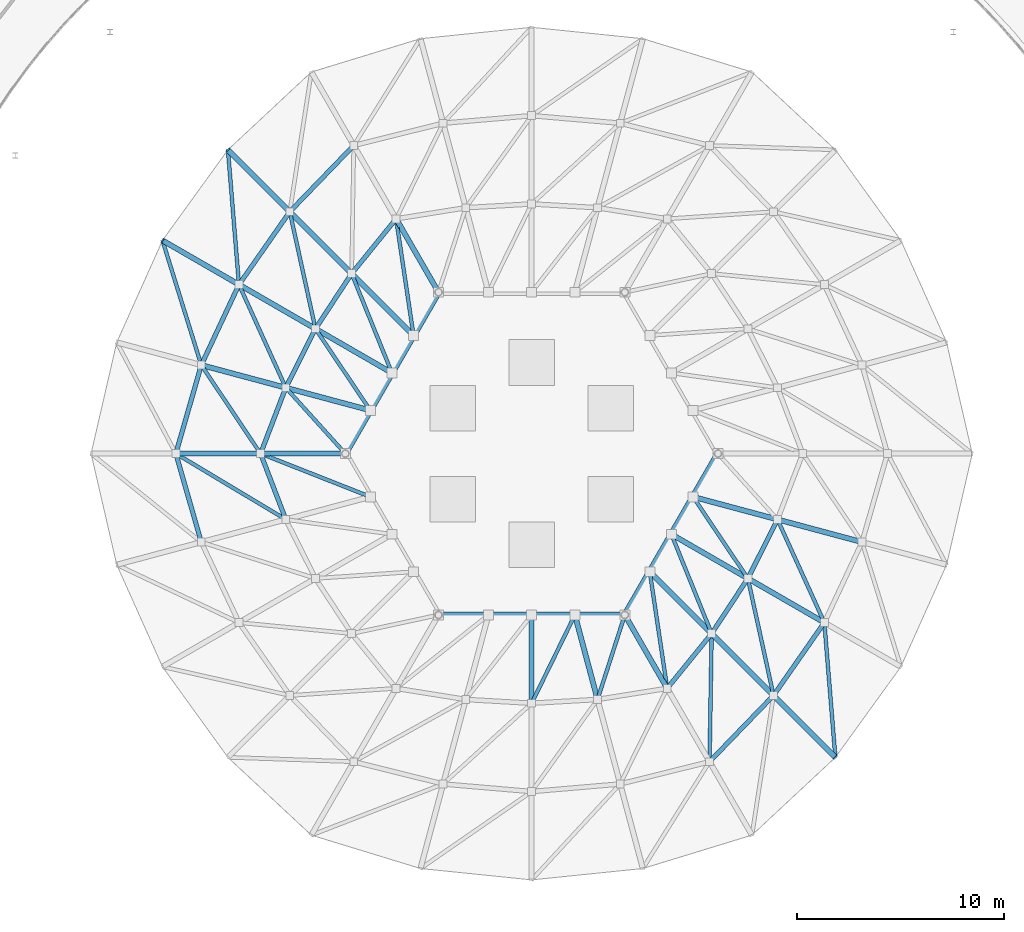
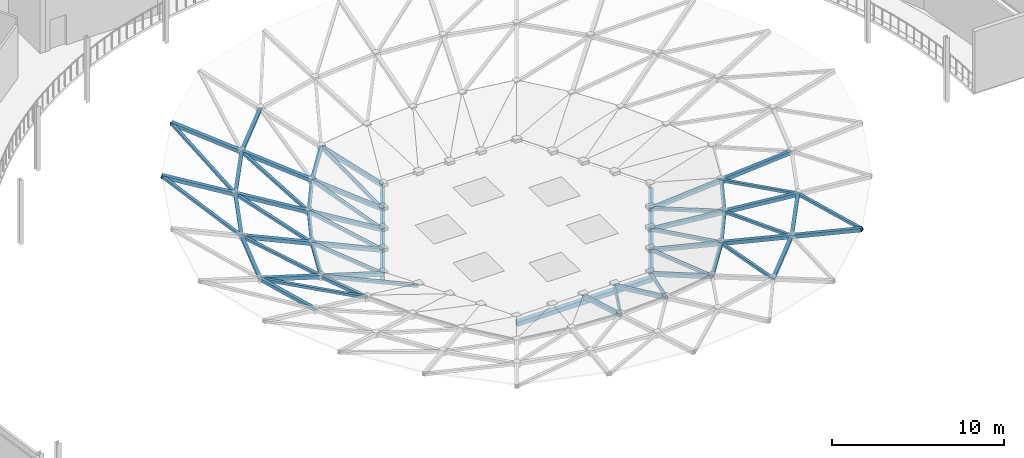
# One storey, part 23 of 116: 56 members, 3 beams.
"""IFC4 building model written with IfcOpenShell, lengths in metres."""

import ifcopenshell
import ifcopenshell.guid

model = None  # the IFC model being written
_history = None  # IfcOwnerHistory: only IFC2X3 demands one
_inside = {}  # id of a spatial element -> (the spatial element, [elements in it])
_under = {}  # id of a project, library or spatial element -> (it, [spatial elements below it])
_declared = {}  # id of a project -> (the project, [libraries it declares])
_typed = {}  # id of a type object -> (the type object, [elements of that type])
_made_of = {}  # id of a material, layer set ... -> (it, [elements and type objects made of it])


def new_model(schema):
    """Start an empty IFC model of exactly this schema.

    Asked for "IFC4X3", IfcOpenShell would pick the latest addendum, in which some entities
    have other attributes; the version numbers below select the first issue.
    IFC2X3 requires an IfcOwnerHistory on every rooted entity: one is made here for all.
    """
    global model, _history
    if schema == "IFC4X3":
        model = ifcopenshell.file(schema_version=(4, 3, 0, 0))
    else:
        model = ifcopenshell.file(schema=schema)
    _inside.clear()
    _under.clear()
    _declared.clear()
    _typed.clear()
    _made_of.clear()
    _history = None
    if model.schema == "IFC2X3":
        org = make("IfcOrganization", Name="unknown")
        user = make(
            "IfcPersonAndOrganization",
            ThePerson=make("IfcPerson", FamilyName="unknown"),
            TheOrganization=org,
        )
        app = make(
            "IfcApplication",
            ApplicationDeveloper=org,
            Version="unknown",
            ApplicationFullName="unknown",
            ApplicationIdentifier="unknown",
        )
        _history = make(
            "IfcOwnerHistory",
            OwningUser=user,
            OwningApplication=app,
            ChangeAction="ADDED",
            CreationDate=0,
        )
    return model


def make(cls, **values):
    """One entity of the class cls with the attributes given. An attribute that is None is left unset."""
    return model.create_entity(
        cls, **{name: value for name, value in values.items() if value is not None}
    )


def rooted(cls, **values):
    """An entity with a GlobalId (a new one), such as an element, a storey or a relation."""
    return make(cls, GlobalId=ifcopenshell.guid.new(), OwnerHistory=_history, **values)


def si_unit(unit_type, name, prefix=None):
    """IfcSIUnit, for example si_unit("LENGTHUNIT", "METRE", prefix="MILLI")."""
    return make("IfcSIUnit", UnitType=unit_type, Prefix=prefix, Name=name)


def assignment(units):
    """IfcUnitAssignment: the units of a project."""
    return None if units is None else make("IfcUnitAssignment", Units=units)


def point(xyz):
    """IfcCartesianPoint."""
    return None if xyz is None else make("IfcCartesianPoint", Coordinates=xyz)


def direction(xyz):
    """IfcDirection."""
    return None if xyz is None else make("IfcDirection", DirectionRatios=xyz)


def frame(location, z_axis=None, x_axis=None):
    """IfcAxis2Placement3D, a coordinate frame: its origin and axes. An axis left out is left unset."""
    return make(
        "IfcAxis2Placement3D",
        Location=point(location),
        Axis=direction(z_axis),
        RefDirection=direction(x_axis),
    )


def frame_2d(location, x_axis=None):
    """IfcAxis2Placement2D, a coordinate frame in the plane: its origin and x axis."""
    return make(
        "IfcAxis2Placement2D", Location=point(location), RefDirection=direction(x_axis)
    )


def origin():
    """The frame at (0, 0, 0) with its axes left unset."""
    return frame((0.0, 0.0, 0.0))


def origin_2d():
    """The frame at (0, 0) in the plane with its x axis left unset."""
    return frame_2d((0.0, 0.0))


def place(relative_to, where):
    """IfcLocalPlacement: puts the frame where relative to a parent placement (None: the world)."""
    return make(
        "IfcLocalPlacement", PlacementRelTo=relative_to, RelativePlacement=where
    )


def context(
    kind, dimensions, precision=None, world=None, true_north=None, identifier=None
):
    """IfcGeometricRepresentationContext, for example the 3D "Model" context."""
    return make(
        "IfcGeometricRepresentationContext",
        ContextIdentifier=identifier,
        ContextType=kind,
        CoordinateSpaceDimension=dimensions,
        Precision=precision,
        WorldCoordinateSystem=world,
        TrueNorth=true_north,
    )


def subcontext(parent, identifier, kind, view, scale=None):
    """IfcGeometricRepresentationSubContext, for example "Body" below "Model"."""
    return make(
        "IfcGeometricRepresentationSubContext",
        ContextIdentifier=identifier,
        ContextType=kind,
        ParentContext=parent,
        TargetScale=scale,
        TargetView=view,
    )


def project(units=None, contexts=None):
    """IfcProject with its units and contexts."""
    return rooted(
        "IfcProject",
        Name="project",
        RepresentationContexts=contexts,
        UnitsInContext=assignment(units),
    )


def spatial(cls, under=None, at=None, **own):
    """A site, building, storey or space (cls), placed at a placement, below another one or the project."""
    s = rooted(cls, ObjectPlacement=at, **own)
    if under is not None:
        _under.setdefault(under.id(), (under, []))[1].append(s)
    return s


def profile(cls, at=None, kind="AREA", **sizes):
    """A parametric profile (cls). Its sizes go by their IFC names, for example OverallWidth=200.0."""
    return make(cls, ProfileType=kind, Position=at, **sizes)


def hollow_rectangle(**sizes):
    """IfcRectangleHollowProfileDef."""
    return profile("IfcRectangleHollowProfileDef", **sizes)


def extrude(swept, where, along, depth):
    """IfcExtrudedAreaSolid: the profile swept, set in the frame where, extruded along a direction by depth."""
    return make(
        "IfcExtrudedAreaSolid",
        SweptArea=swept,
        Position=where,
        ExtrudedDirection=direction(along),
        Depth=depth,
    )


def shape(context_of_items, identifier, shape_type, items):
    """IfcShapeRepresentation: the items that make up one representation, for example the "Body"."""
    return make(
        "IfcShapeRepresentation",
        ContextOfItems=context_of_items,
        RepresentationIdentifier=identifier,
        RepresentationType=shape_type,
        Items=items,
    )


def material(Name=None, Category=None):
    """IfcMaterial."""
    return make("IfcMaterial", Name=Name, Category=Category)


def material_profile(
    of_material, cross_section, Name=None, Category=None, Priority=None
):
    """IfcMaterialProfile: a cross section and its material."""
    return make(
        "IfcMaterialProfile",
        Name=Name,
        Material=of_material,
        Profile=cross_section,
        Priority=Priority,
        Category=Category,
    )


def profile_set(profiles, Name=None, composite=None):
    """IfcMaterialProfileSet."""
    return make(
        "IfcMaterialProfileSet",
        Name=Name,
        MaterialProfiles=profiles,
        CompositeProfile=composite,
    )


def made_of(thing, what):
    """Note that an element or type object is made of a material, layer set ...; save() writes the relation."""
    if what is not None:
        _made_of.setdefault(what.id(), (what, []))[1].append(thing)
    return thing


def type_object(cls, material=None, **own):
    """A type object (cls), such as IfcWallType, which elements share."""
    return made_of(rooted(cls, **own), material)


def element(
    cls,
    number,
    at=None,
    inside=None,
    cuts=None,
    type_object=None,
    material=None,
    context=None,
    identifier="Body",
    shape_type=None,
    held_by="IfcProductDefinitionShape",
    body=None,
    shapes=None,
    **own,
):
    """One element of the class cls, such as IfcWall. Its Tag is "e" and its number.

    at: its placement. inside: the storey or other place that contains it. cuts: it is an
    opening in that element (IfcRelVoidsElement). A single representation is given by context,
    identifier, shape_type and body (its items); several are given by shapes. held_by: the class
    of the entity that holds the representations. save() writes the other relations.
    """
    e = rooted(cls, Tag="e%d" % number, ObjectPlacement=at, **own)
    if body is not None:
        shapes = [shape(context, identifier, shape_type, body)]
    if shapes is not None:
        e.Representation = make(held_by, Representations=shapes)
    if inside is not None:
        _inside.setdefault(inside.id(), (inside, []))[1].append(e)
    if cuts is not None:
        rooted(
            "IfcRelVoidsElement", RelatingBuildingElement=cuts, RelatedOpeningElement=e
        )
    if type_object is not None:
        _typed.setdefault(type_object.id(), (type_object, []))[1].append(e)
    return made_of(e, material)


def aggregate(whole, parts):
    """IfcRelAggregates: a whole, such as a stair, and the parts it consists of."""
    return rooted("IfcRelAggregates", RelatingObject=whole, RelatedObjects=parts)


def save(model, path):
    """Write the relations noted so far, then the file.

    IfcRelAggregates (storeys below a building ...), IfcRelContainedInSpatialStructure (elements
    in a storey), IfcRelDefinesByType, IfcRelAssociatesMaterial and IfcRelDeclares: one each for
    every whole, place, type object, material and project.
    """
    for whole, parts in _under.values():
        aggregate(whole, parts)
    for where, things in _inside.values():
        rooted(
            "IfcRelContainedInSpatialStructure",
            RelatedElements=things,
            RelatingStructure=where,
        )
    for kind, things in _typed.values():
        rooted("IfcRelDefinesByType", RelatedObjects=things, RelatingType=kind)
    for what, things in _made_of.values():
        rooted("IfcRelAssociatesMaterial", RelatedObjects=things, RelatingMaterial=what)
    for by, libraries in _declared.values():
        rooted("IfcRelDeclares", RelatingContext=by, RelatedDefinitions=libraries)
    model.write(path)


model = new_model("IFC4")

# Units and contexts
model_context = context("Model", 3, precision=1e-05, world=origin(), true_north=direction((0.0, 1.0)))
body_context = subcontext(model_context, "Body", "Model", "MODEL_VIEW")
ifc_project = project(units=[si_unit("LENGTHUNIT", "METRE"), si_unit("AREAUNIT", "SQUARE_METRE"), si_unit("VOLUMEUNIT", "CUBIC_METRE"), si_unit("PLANEANGLEUNIT", "RADIAN"), si_unit("MASSUNIT", "GRAM", prefix="KILO")], contexts=[model_context])

# Site, building, storey
site_placement = place(None, origin())
site = spatial("IfcSite", under=ifc_project, at=site_placement, CompositionType="ELEMENT")
building_placement = place(site_placement, origin())
building = spatial("IfcBuilding", under=site, at=building_placement, Name="Almandine Court Research Institute", CompositionType="ELEMENT")
storey_placement = place(building_placement, frame((0.0, 0.0, 14.35009765625)))
storey = spatial("IfcBuildingStorey", under=building, at=storey_placement, Name="L03", CompositionType="ELEMENT", Elevation=14.35009765625)

# Beams
ifc_material = material(Name="Steel ASTM A500 Grade C", Category="steel")
ifc_material_profile_1 = material_profile(ifc_material, hollow_rectangle(XDim=0.300048828125, YDim=0.300048828125, WallThickness=0.011962890625, at=origin_2d()), Name="HSS 300x300x12")
ifc_profile_set_1 = profile_set([ifc_material_profile_1], Name="Steel ASTM A500 Grade C")
beam_type = type_object("IfcBeamType", Name="Beam-RB-01-E", PredefinedType="BEAM", material=ifc_profile_set_1)
beam_1_placement = place(storey_placement, frame((82.5, 63.7939453125, 0.64990234375), z_axis=(-0.500013631625, -0.866017533419, 0.0), x_axis=(0.866017533419, -0.500013631625, 0.0)))
element("IfcBeam", 1, at=beam_1_placement, inside=storey, type_object=beam_type, Name="Gridshell Inner Oculus Ring Beam IRB-3", PredefinedType="BEAM", context=body_context, shape_type="SweptSolid", body=[
    extrude(hollow_rectangle(XDim=0.300048828125, YDim=0.300048828125, WallThickness=0.011962890625, at=origin_2d()), origin(), (0.0, 0.0, 1.0), 8.999755859375),
])
beam_2_placement = place(storey_placement, frame((82.5, 48.2060546875, 0.64990234375), z_axis=(1.0, 0.0, 0.0), x_axis=(0.0, 1.0, 0.0)))
element("IfcBeam", 2, at=beam_2_placement, inside=storey, type_object=beam_type, Name="Gridshell Inner Oculus Ring Beam IRB-5", PredefinedType="BEAM", context=body_context, shape_type="SweptSolid", body=[
    extrude(hollow_rectangle(XDim=0.300048828125, YDim=0.300048828125, WallThickness=0.011962890625, at=origin_2d()), origin(), (0.0, 0.0, 1.0), 9.0),
])
beam_3_placement = place(storey_placement, frame((91.5, 48.2060546875, 0.64990234375), z_axis=(0.500013631625, 0.866017533419, 0.0), x_axis=(-0.866017533419, 0.500013631625, 0.0)))
element("IfcBeam", 3, at=beam_3_placement, inside=storey, type_object=beam_type, Name="Gridshell Inner Oculus Ring Beam IRB-6", PredefinedType="BEAM", context=body_context, shape_type="SweptSolid", body=[
    extrude(hollow_rectangle(XDim=0.300048828125, YDim=0.300048828125, WallThickness=0.011962890625, at=origin_2d()), origin(), (0.0, 0.0, 1.0), 8.999755859375),
])

# Members
ifc_material_profile_2 = material_profile(ifc_material, hollow_rectangle(XDim=0.25, YDim=0.25, WallThickness=0.010009765625, at=origin_2d()), Name="HSS 250x250x10")
ifc_profile_set_2 = profile_set([ifc_material_profile_2], Name="Steel ASTM A500 Grade C")
member_type_1 = type_object("IfcMemberType", Name="Mem-GS-AR1", PredefinedType="RAFTER", material=ifc_profile_set_2)
member_1_placement = place(storey_placement, frame((72.330078125, 70.669921875, 4.77099609375), z_axis=(0.677753192831, -0.677753192831, -0.285133686566), x_axis=(0.707106781187, 0.707106781187, 0.0)))
element("IfcMember", 4, at=member_1_placement, inside=storey, type_object=member_type_1, Name="Atrium Conical Gridshell Radial Rib R4-S09", PredefinedType="RAFTER", context=body_context, shape_type="SweptSolid", body=[
    extrude(hollow_rectangle(XDim=0.25, YDim=0.25, WallThickness=0.010009765625, at=origin_2d()), origin(), (0.0, 0.0, 1.0), 4.40869140625),
])
member_2_placement = place(storey_placement, frame((69.1689453125, 66.294921875, 4.77099609375), z_axis=(0.830700468478, -0.479611347077, -0.282683015808), x_axis=(0.500004853958, 0.866022601332, 0.0)))
element("IfcMember", 5, at=member_2_placement, inside=storey, type_object=member_type_1, Name="Atrium Conical Gridshell Radial Rib R4-S10", PredefinedType="RAFTER", context=body_context, shape_type="SweptSolid", body=[
    extrude(hollow_rectangle(XDim=0.25, YDim=0.25, WallThickness=0.010009765625, at=origin_2d()), origin(), (0.0, 0.0, 1.0), 4.447021484375),
])
member_3_placement = place(storey_placement, frame((101.669921875, 41.330078125, 4.77099609375), z_axis=(-0.677753192831, 0.677753192831, -0.285133686566), x_axis=(-0.707106781187, -0.707106781187, 0.0)))
element("IfcMember", 6, at=member_3_placement, inside=storey, type_object=member_type_1, Name="Atrium Conical Gridshell Radial Rib R4-S21", PredefinedType="RAFTER", context=body_context, shape_type="SweptSolid", body=[
    extrude(hollow_rectangle(XDim=0.25, YDim=0.25, WallThickness=0.010009765625, at=origin_2d()), origin(), (0.0, 0.0, 1.0), 4.40869140625),
])
member_4_placement = place(storey_placement, frame((75.318115234375, 67.681884765625, 3.513916015625), z_axis=(0.677748690146, -0.677748690146, -0.285155091155), x_axis=(0.707106781187, 0.707106781187, 0.0)))
element("IfcMember", 7, at=member_4_placement, inside=storey, type_object=member_type_1, Name="Atrium Conical Gridshell Radial Rib R5-S09", PredefinedType="RAFTER", context=body_context, shape_type="SweptSolid", body=[
    extrude(hollow_rectangle(XDim=0.25, YDim=0.25, WallThickness=0.010009765625, at=origin_2d()), origin(), (0.0, 0.0, 1.0), 4.408447265625),
])
member_5_placement = place(storey_placement, frame((72.863037109375, 64.162109375, 3.513916015625), z_axis=(0.830680999936, -0.479593889491, -0.282769831328), x_axis=(0.499999992624, 0.866025408043, 0.0)))
element("IfcMember", 8, at=member_5_placement, inside=storey, type_object=member_type_1, Name="Atrium Conical Gridshell Radial Rib R5-S10", PredefinedType="RAFTER", context=body_context, shape_type="SweptSolid", body=[
    extrude(hollow_rectangle(XDim=0.25, YDim=0.25, WallThickness=0.010009765625, at=origin_2d()), origin(), (0.0, 0.0, 1.0), 4.445556640625),
])
member_6_placement = place(storey_placement, frame((71.0419921875, 60.27587890625, 3.513916015625), z_axis=(0.925822235368, -0.248122573964, -0.285111165665), x_axis=(0.258866989029, 0.965912978478, 0.0)))
element("IfcMember", 9, at=member_6_placement, inside=storey, type_object=member_type_1, Name="Atrium Conical Gridshell Radial Rib R5-S11", PredefinedType="RAFTER", context=body_context, shape_type="SweptSolid", body=[
    extrude(hollow_rectangle(XDim=0.25, YDim=0.25, WallThickness=0.010009765625, at=origin_2d()), origin(), (0.0, 0.0, 1.0), 4.4091796875),
])
member_7_placement = place(storey_placement, frame((69.81396484375, 56.0, 3.513916015625), z_axis=(0.955930522489, 0.0, -0.293592977053), x_axis=(0.0, 1.0, 0.0)))
element("IfcMember", 10, at=member_7_placement, inside=storey, type_object=member_type_1, Name="Atrium Conical Gridshell Radial Rib R5-S12", PredefinedType="RAFTER", context=body_context, shape_type="SweptSolid", body=[
    extrude(hollow_rectangle(XDim=0.25, YDim=0.25, WallThickness=0.010009765625, at=origin_2d()), origin(), (0.0, 0.0, 1.0), 4.28173828125),
])
member_8_placement = place(storey_placement, frame((98.681884765625, 44.318115234375, 3.513916015625), z_axis=(-0.677748690146, 0.677748690146, -0.285155091155), x_axis=(-0.707106781187, -0.707106781187, 0.0)))
element("IfcMember", 11, at=member_8_placement, inside=storey, type_object=member_type_1, Name="Atrium Conical Gridshell Radial Rib R5-S21", PredefinedType="RAFTER", context=body_context, shape_type="SweptSolid", body=[
    extrude(hollow_rectangle(XDim=0.25, YDim=0.25, WallThickness=0.010009765625, at=origin_2d()), origin(), (0.0, 0.0, 1.0), 4.408447265625),
])
member_9_placement = place(storey_placement, frame((101.136962890625, 47.837890625, 3.513916015625), z_axis=(-0.830680999936, 0.479593889491, -0.282769831328), x_axis=(-0.499999992624, -0.866025408043, 0.0)))
element("IfcMember", 12, at=member_9_placement, inside=storey, type_object=member_type_1, Name="Atrium Conical Gridshell Radial Rib R5-S22", PredefinedType="RAFTER", context=body_context, shape_type="SweptSolid", body=[
    extrude(hollow_rectangle(XDim=0.25, YDim=0.25, WallThickness=0.010009765625, at=origin_2d()), origin(), (0.0, 0.0, 1.0), 4.445556640625),
])
member_10_placement = place(storey_placement, frame((102.9580078125, 51.72412109375, 3.513916015625), z_axis=(-0.925822235368, 0.248122573964, -0.285111165665), x_axis=(-0.258866989029, -0.965912978478, 0.0)))
element("IfcMember", 13, at=member_10_placement, inside=storey, type_object=member_type_1, Name="Atrium Conical Gridshell Radial Rib R5-S23", PredefinedType="RAFTER", context=body_context, shape_type="SweptSolid", body=[
    extrude(hollow_rectangle(XDim=0.25, YDim=0.25, WallThickness=0.010009765625, at=origin_2d()), origin(), (0.0, 0.0, 1.0), 4.4091796875),
])
member_11_placement = place(storey_placement, frame((80.4541015625, 67.339111328125, 2.2568359375), z_axis=(0.477816251034, -0.827967754328, -0.293531988105), x_axis=(0.86612103393, 0.499834327136, 0.0)))
element("IfcMember", 14, at=member_11_placement, inside=storey, type_object=member_type_1, Name="Atrium Conical Gridshell Radial Rib R6-S08", PredefinedType="RAFTER", context=body_context, shape_type="SweptSolid", body=[
    extrude(hollow_rectangle(XDim=0.25, YDim=0.25, WallThickness=0.010009765625, at=origin_2d()), origin(), (0.0, 0.0, 1.0), 4.28173828125),
])
member_12_placement = place(storey_placement, frame((78.305908203125, 64.694091796875, 2.2568359375), z_axis=(0.677763893572, -0.677763893572, -0.285082811023), x_axis=(0.707106781187, 0.707106781187, 0.0)))
element("IfcMember", 15, at=member_12_placement, inside=storey, type_object=member_type_1, Name="Atrium Conical Gridshell Radial Rib R6-S09", PredefinedType="RAFTER", context=body_context, shape_type="SweptSolid", body=[
    extrude(hollow_rectangle(XDim=0.25, YDim=0.25, WallThickness=0.010009765625, at=origin_2d()), origin(), (0.0, 0.0, 1.0), 4.40869140625),
])
member_13_placement = place(storey_placement, frame((76.555908203125, 62.030029296875, 2.2568359375), z_axis=(0.830691485021, -0.479661060381, -0.282625058812), x_axis=(0.500047778078, 0.865997817341, 0.0)))
element("IfcMember", 16, at=member_13_placement, inside=storey, type_object=member_type_1, Name="Atrium Conical Gridshell Radial Rib R6-S10", PredefinedType="RAFTER", context=body_context, shape_type="SweptSolid", body=[
    extrude(hollow_rectangle(XDim=0.25, YDim=0.25, WallThickness=0.010009765625, at=origin_2d()), origin(), (0.0, 0.0, 1.0), 4.447021484375),
])
member_14_placement = place(storey_placement, frame((75.1240234375, 59.181884765625, 2.2568359375), z_axis=(0.925836850451, -0.248126490842, -0.285060293428), x_axis=(0.258866989029, 0.965912978478, 0.0)))
element("IfcMember", 17, at=member_14_placement, inside=storey, type_object=member_type_1, Name="Atrium Conical Gridshell Radial Rib R6-S11", PredefinedType="RAFTER", context=body_context, shape_type="SweptSolid", body=[
    extrude(hollow_rectangle(XDim=0.25, YDim=0.25, WallThickness=0.010009765625, at=origin_2d()), origin(), (0.0, 0.0, 1.0), 4.408935546875),
])
member_15_placement = place(storey_placement, frame((73.906982421875, 56.0, 2.2568359375), z_axis=(0.955946524092, 0.0, -0.293540871221), x_axis=(0.0, 1.0, 0.0)))
element("IfcMember", 18, at=member_15_placement, inside=storey, type_object=member_type_1, Name="Atrium Conical Gridshell Radial Rib R6-S12", PredefinedType="RAFTER", context=body_context, shape_type="SweptSolid", body=[
    extrude(hollow_rectangle(XDim=0.25, YDim=0.25, WallThickness=0.010009765625, at=origin_2d()), origin(), (0.0, 0.0, 1.0), 4.28173828125),
])
member_16_placement = place(storey_placement, frame((87.0, 43.94091796875, 2.2568359375), z_axis=(0.0, 0.959220239089, -0.282659747615), x_axis=(-1.0, 0.0, 0.0)))
element("IfcMember", 19, at=member_16_placement, inside=storey, type_object=member_type_1, Name="Atrium Conical Gridshell Radial Rib R6-S18", PredefinedType="RAFTER", context=body_context, shape_type="SweptSolid", body=[
    extrude(hollow_rectangle(XDim=0.25, YDim=0.25, WallThickness=0.010009765625, at=origin_2d()), origin(), (0.0, 0.0, 1.0), 4.446533203125),
])
member_17_placement = place(storey_placement, frame((90.181884765625, 44.1240234375, 2.2568359375), z_axis=(-0.248126490842, 0.925836850451, -0.285060293428), x_axis=(-0.965912978478, -0.258866989029, 0.0)))
element("IfcMember", 20, at=member_17_placement, inside=storey, type_object=member_type_1, Name="Atrium Conical Gridshell Radial Rib R6-S19", PredefinedType="RAFTER", context=body_context, shape_type="SweptSolid", body=[
    extrude(hollow_rectangle(XDim=0.25, YDim=0.25, WallThickness=0.010009765625, at=origin_2d()), origin(), (0.0, 0.0, 1.0), 4.408935546875),
])
member_18_placement = place(storey_placement, frame((93.5458984375, 44.660888671875, 2.2568359375), z_axis=(-0.477816251034, 0.827967754328, -0.293531988105), x_axis=(-0.86612103393, -0.499834327136, 0.0)))
element("IfcMember", 21, at=member_18_placement, inside=storey, type_object=member_type_1, Name="Atrium Conical Gridshell Radial Rib R6-S20", PredefinedType="RAFTER", context=body_context, shape_type="SweptSolid", body=[
    extrude(hollow_rectangle(XDim=0.25, YDim=0.25, WallThickness=0.010009765625, at=origin_2d()), origin(), (0.0, 0.0, 1.0), 4.28173828125),
])
member_19_placement = place(storey_placement, frame((95.694091796875, 47.305908203125, 2.2568359375), z_axis=(-0.677763893572, 0.677763893572, -0.285082811023), x_axis=(-0.707106781187, -0.707106781187, 0.0)))
element("IfcMember", 22, at=member_19_placement, inside=storey, type_object=member_type_1, Name="Atrium Conical Gridshell Radial Rib R6-S21", PredefinedType="RAFTER", context=body_context, shape_type="SweptSolid", body=[
    extrude(hollow_rectangle(XDim=0.25, YDim=0.25, WallThickness=0.010009765625, at=origin_2d()), origin(), (0.0, 0.0, 1.0), 4.40869140625),
])
member_20_placement = place(storey_placement, frame((97.444091796875, 49.969970703125, 2.2568359375), z_axis=(-0.830691485021, 0.479661060381, -0.282625058812), x_axis=(-0.500047778078, -0.865997817341, 0.0)))
element("IfcMember", 23, at=member_20_placement, inside=storey, type_object=member_type_1, Name="Atrium Conical Gridshell Radial Rib R6-S22", PredefinedType="RAFTER", context=body_context, shape_type="SweptSolid", body=[
    extrude(hollow_rectangle(XDim=0.25, YDim=0.25, WallThickness=0.010009765625, at=origin_2d()), origin(), (0.0, 0.0, 1.0), 4.447021484375),
])
member_21_placement = place(storey_placement, frame((98.8759765625, 52.818115234375, 2.2568359375), z_axis=(-0.925836850451, 0.248126490842, -0.285060293428), x_axis=(-0.258866989029, -0.965912978478, 0.0)))
element("IfcMember", 24, at=member_21_placement, inside=storey, type_object=member_type_1, Name="Atrium Conical Gridshell Radial Rib R6-S23", PredefinedType="RAFTER", context=body_context, shape_type="SweptSolid", body=[
    extrude(hollow_rectangle(XDim=0.25, YDim=0.25, WallThickness=0.010009765625, at=origin_2d()), origin(), (0.0, 0.0, 1.0), 4.408935546875),
])
ifc_material_profile_3 = material_profile(ifc_material, hollow_rectangle(XDim=0.179931640625, YDim=0.179931640625, WallThickness=0.008056640625, at=origin_2d()), Name="HSS 180x180x8")
ifc_profile_set_3 = profile_set([ifc_material_profile_3], Name="Steel ASTM A500 Grade C")
member_type_2 = type_object("IfcMemberType", Name="Mem-GS-BR1", PredefinedType="BRACE", material=ifc_profile_set_3)
member_22_placement = place(storey_placement, frame((72.330078125, 70.669921875, 4.77099609375), z_axis=(0.080150172074, -0.978691244532, -0.189048665145), x_axis=(0.996663357729, 0.081622002923, 0.0)))
element("IfcMember", 25, at=member_22_placement, inside=storey, type_object=member_type_2, Name="Atrium Conical Gridshell Diagonal Brace R4-S09", PredefinedType="BRACE", context=body_context, shape_type="SweptSolid", body=[
    extrude(hollow_rectangle(XDim=0.179931640625, YDim=0.179931640625, WallThickness=0.008056640625, at=origin_2d()), origin(), (0.0, 0.0, 1.0), 6.6494140625),
])
member_23_placement = place(storey_placement, frame((69.1689453125, 66.294921875, 4.77099609375), z_axis=(0.291394922162, -0.936398645851, -0.195567316764), x_axis=(0.954836267143, 0.297132467004, 0.0)))
element("IfcMember", 26, at=member_23_placement, inside=storey, type_object=member_type_2, Name="Atrium Conical Gridshell Diagonal Brace R4-S10", PredefinedType="BRACE", context=body_context, shape_type="SweptSolid", body=[
    extrude(hollow_rectangle(XDim=0.179931640625, YDim=0.179931640625, WallThickness=0.008056640625, at=origin_2d()), origin(), (0.0, 0.0, 1.0), 6.427978515625),
])
member_24_placement = place(storey_placement, frame((101.669921875, 41.330078125, 4.77099609375), z_axis=(-0.080150172074, 0.978691244532, -0.189048665145), x_axis=(-0.996663357729, -0.081622002923, 0.0)))
element("IfcMember", 27, at=member_24_placement, inside=storey, type_object=member_type_2, Name="Atrium Conical Gridshell Diagonal Brace R4-S21", PredefinedType="BRACE", context=body_context, shape_type="SweptSolid", body=[
    extrude(hollow_rectangle(XDim=0.179931640625, YDim=0.179931640625, WallThickness=0.008056640625, at=origin_2d()), origin(), (0.0, 0.0, 1.0), 6.6494140625),
])
member_25_placement = place(storey_placement, frame((75.318115234375, 67.681884765625, 3.513916015625), z_axis=(0.209058460548, -0.954576599938, -0.212315978967), x_axis=(0.976847684994, 0.21393597248, 0.0)))
element("IfcMember", 28, at=member_25_placement, inside=storey, type_object=member_type_2, Name="Atrium Conical Gridshell Diagonal Brace R5-S09", PredefinedType="BRACE", context=body_context, shape_type="SweptSolid", body=[
    extrude(hollow_rectangle(XDim=0.179931640625, YDim=0.179931640625, WallThickness=0.008056640625, at=origin_2d()), origin(), (0.0, 0.0, 1.0), 5.9208984375),
])
member_26_placement = place(storey_placement, frame((72.863037109375, 64.162109375, 3.513916015625), z_axis=(0.402881659814, -0.887418527, -0.223997156504), x_axis=(0.910555937533, 0.413385878597, 0.0)))
element("IfcMember", 29, at=member_26_placement, inside=storey, type_object=member_type_2, Name="Atrium Conical Gridshell Diagonal Brace R5-S10", PredefinedType="BRACE", context=body_context, shape_type="SweptSolid", body=[
    extrude(hollow_rectangle(XDim=0.179931640625, YDim=0.179931640625, WallThickness=0.008056640625, at=origin_2d()), origin(), (0.0, 0.0, 1.0), 5.612060546875),
])
member_27_placement = place(storey_placement, frame((71.0419921875, 60.27587890625, 3.513916015625), z_axis=(0.54074171438, -0.807034545007, -0.237262811022), x_axis=(0.830756378427, 0.556636182531, 0.0)))
element("IfcMember", 30, at=member_27_placement, inside=storey, type_object=member_type_2, Name="Atrium Conical Gridshell Diagonal Brace R5-S11", PredefinedType="BRACE", context=body_context, shape_type="SweptSolid", body=[
    extrude(hollow_rectangle(XDim=0.179931640625, YDim=0.179931640625, WallThickness=0.008056640625, at=origin_2d()), origin(), (0.0, 0.0, 1.0), 5.29833984375),
])
member_28_placement = place(storey_placement, frame((69.81396484375, 56.0, 3.513916015625), z_axis=(0.84063108695, -0.503721607182, -0.199007331803), x_axis=(0.514002688463, 0.857788573165, 0.0)))
element("IfcMember", 31, at=member_28_placement, inside=storey, type_object=member_type_2, Name="Atrium Conical Gridshell Diagonal Brace R5-S12", PredefinedType="BRACE", context=body_context, shape_type="SweptSolid", body=[
    extrude(hollow_rectangle(XDim=0.179931640625, YDim=0.179931640625, WallThickness=0.008056640625, at=origin_2d()), origin(), (0.0, 0.0, 1.0), 6.316650390625),
])
member_29_placement = place(storey_placement, frame((95.593017578125, 41.116943359375, 3.513916015625), z_axis=(0.016002504225, 0.979863483322, -0.19902631462), x_axis=(-0.999866669995, 0.016329183486, 0.0)))
element("IfcMember", 32, at=member_29_placement, inside=storey, type_object=member_type_2, Name="Atrium Conical Gridshell Diagonal Brace R5-S20", PredefinedType="BRACE", context=body_context, shape_type="SweptSolid", body=[
    extrude(hollow_rectangle(XDim=0.179931640625, YDim=0.179931640625, WallThickness=0.008056640625, at=origin_2d()), origin(), (0.0, 0.0, 1.0), 6.316162109375),
])
member_30_placement = place(storey_placement, frame((98.681884765625, 44.318115234375, 3.513916015625), z_axis=(-0.209058460548, 0.954576599938, -0.212315978967), x_axis=(-0.976847684994, -0.21393597248, 0.0)))
element("IfcMember", 33, at=member_30_placement, inside=storey, type_object=member_type_2, Name="Atrium Conical Gridshell Diagonal Brace R5-S21", PredefinedType="BRACE", context=body_context, shape_type="SweptSolid", body=[
    extrude(hollow_rectangle(XDim=0.179931640625, YDim=0.179931640625, WallThickness=0.008056640625, at=origin_2d()), origin(), (0.0, 0.0, 1.0), 5.9208984375),
])
member_31_placement = place(storey_placement, frame((101.136962890625, 47.837890625, 3.513916015625), z_axis=(-0.402881659814, 0.887418527, -0.223997156504), x_axis=(-0.910555937533, -0.413385878597, 0.0)))
element("IfcMember", 34, at=member_31_placement, inside=storey, type_object=member_type_2, Name="Atrium Conical Gridshell Diagonal Brace R5-S22", PredefinedType="BRACE", context=body_context, shape_type="SweptSolid", body=[
    extrude(hollow_rectangle(XDim=0.179931640625, YDim=0.179931640625, WallThickness=0.008056640625, at=origin_2d()), origin(), (0.0, 0.0, 1.0), 5.612060546875),
])
member_32_placement = place(storey_placement, frame((80.4541015625, 67.339111328125, 2.2568359375), z_axis=(0.143997499382, -0.965829739317, -0.215493932215), x_axis=(0.989067707783, 0.147462094863, 0.0)))
element("IfcMember", 35, at=member_32_placement, inside=storey, type_object=member_type_2, Name="Atrium Conical Gridshell Diagonal Brace R6-S08", PredefinedType="BRACE", context=body_context, shape_type="SweptSolid", body=[
    extrude(hollow_rectangle(XDim=0.179931640625, YDim=0.179931640625, WallThickness=0.008056640625, at=origin_2d()), origin(), (0.0, 0.0, 1.0), 5.832275390625),
])
member_33_placement = place(storey_placement, frame((78.305908203125, 64.694091796875, 2.2568359375), z_axis=(0.364985625201, -0.900615666154, -0.235959562795), x_axis=(0.926785422209, 0.375591242152, 0.0)))
element("IfcMember", 36, at=member_33_placement, inside=storey, type_object=member_type_2, Name="Atrium Conical Gridshell Diagonal Brace R6-S09", PredefinedType="BRACE", context=body_context, shape_type="SweptSolid", body=[
    extrude(hollow_rectangle(XDim=0.179931640625, YDim=0.179931640625, WallThickness=0.008056640625, at=origin_2d()), origin(), (0.0, 0.0, 1.0), 5.326416015625),
])
member_34_placement = place(storey_placement, frame((76.555908203125, 62.030029296875, 2.2568359375), z_axis=(0.5393503096, -0.802292901807, -0.255787691738), x_axis=(0.829901242109, 0.557910322852, 0.0)))
element("IfcMember", 37, at=member_34_placement, inside=storey, type_object=member_type_2, Name="Atrium Conical Gridshell Diagonal Brace R6-S10", PredefinedType="BRACE", context=body_context, shape_type="SweptSolid", body=[
    extrude(hollow_rectangle(XDim=0.179931640625, YDim=0.179931640625, WallThickness=0.008056640625, at=origin_2d()), origin(), (0.0, 0.0, 1.0), 4.91357421875),
])
member_35_placement = place(storey_placement, frame((75.1240234375, 59.181884765625, 2.2568359375), z_axis=(0.643485893131, -0.711931379047, -0.281210982839), x_axis=(0.741868775657, 0.670545091478, 0.0)))
element("IfcMember", 38, at=member_35_placement, inside=storey, type_object=member_type_2, Name="Atrium Conical Gridshell Diagonal Brace R6-S11", PredefinedType="BRACE", context=body_context, shape_type="SweptSolid", body=[
    extrude(hollow_rectangle(XDim=0.179931640625, YDim=0.179931640625, WallThickness=0.008056640625, at=origin_2d()), origin(), (0.0, 0.0, 1.0), 4.469482421875),
])
member_36_placement = place(storey_placement, frame((73.906982421875, 56.0, 2.2568359375), z_axis=(0.908528366425, -0.357969803716, -0.215485096999), x_axis=(0.366581864165, 0.930385800013, 0.0)))
element("IfcMember", 39, at=member_36_placement, inside=storey, type_object=member_type_2, Name="Atrium Conical Gridshell Diagonal Brace R6-S12", PredefinedType="BRACE", context=body_context, shape_type="SweptSolid", body=[
    extrude(hollow_rectangle(XDim=0.179931640625, YDim=0.179931640625, WallThickness=0.008056640625, at=origin_2d()), origin(), (0.0, 0.0, 1.0), 5.83251953125),
])
member_37_placement = place(storey_placement, frame((87.0, 43.94091796875, 2.2568359375), z_axis=(0.42503652087, 0.868263332508, -0.255856876689), x_axis=(-0.89815884347, 0.439671117879, 0.0)))
element("IfcMember", 40, at=member_37_placement, inside=storey, type_object=member_type_2, Name="Atrium Conical Gridshell Diagonal Brace R6-S18", PredefinedType="BRACE", context=body_context, shape_type="SweptSolid", body=[
    extrude(hollow_rectangle(XDim=0.179931640625, YDim=0.179931640625, WallThickness=0.008056640625, at=origin_2d()), origin(), (0.0, 0.0, 1.0), 4.912353515625),
])
member_38_placement = place(storey_placement, frame((90.181884765625, 44.1240234375, 2.2568359375), z_axis=(0.294886686212, 0.91322567021, -0.281177377407), x_axis=(-0.951617920036, 0.307283800854, 0.0)))
element("IfcMember", 41, at=member_38_placement, inside=storey, type_object=member_type_2, Name="Atrium Conical Gridshell Diagonal Brace R6-S19", PredefinedType="BRACE", context=body_context, shape_type="SweptSolid", body=[
    extrude(hollow_rectangle(XDim=0.179931640625, YDim=0.179931640625, WallThickness=0.008056640625, at=origin_2d()), origin(), (0.0, 0.0, 1.0), 4.469970703125),
])
member_39_placement = place(storey_placement, frame((93.5458984375, 44.660888671875, 2.2568359375), z_axis=(-0.143997499382, 0.965829739317, -0.215493932215), x_axis=(-0.989067707783, -0.147462094863, 0.0)))
element("IfcMember", 42, at=member_39_placement, inside=storey, type_object=member_type_2, Name="Atrium Conical Gridshell Diagonal Brace R6-S20", PredefinedType="BRACE", context=body_context, shape_type="SweptSolid", body=[
    extrude(hollow_rectangle(XDim=0.179931640625, YDim=0.179931640625, WallThickness=0.008056640625, at=origin_2d()), origin(), (0.0, 0.0, 1.0), 5.832275390625),
])
member_40_placement = place(storey_placement, frame((95.694091796875, 47.305908203125, 2.2568359375), z_axis=(-0.364985625201, 0.900615666154, -0.235959562795), x_axis=(-0.926785422209, -0.375591242152, 0.0)))
element("IfcMember", 43, at=member_40_placement, inside=storey, type_object=member_type_2, Name="Atrium Conical Gridshell Diagonal Brace R6-S21", PredefinedType="BRACE", context=body_context, shape_type="SweptSolid", body=[
    extrude(hollow_rectangle(XDim=0.179931640625, YDim=0.179931640625, WallThickness=0.008056640625, at=origin_2d()), origin(), (0.0, 0.0, 1.0), 5.326416015625),
])
member_41_placement = place(storey_placement, frame((97.444091796875, 49.969970703125, 2.2568359375), z_axis=(-0.5393503096, 0.802292901807, -0.255787691738), x_axis=(-0.829901242109, -0.557910322852, 0.0)))
element("IfcMember", 44, at=member_41_placement, inside=storey, type_object=member_type_2, Name="Atrium Conical Gridshell Diagonal Brace R6-S22", PredefinedType="BRACE", context=body_context, shape_type="SweptSolid", body=[
    extrude(hollow_rectangle(XDim=0.179931640625, YDim=0.179931640625, WallThickness=0.008056640625, at=origin_2d()), origin(), (0.0, 0.0, 1.0), 4.91357421875),
])
ifc_material_profile_4 = material_profile(ifc_material, hollow_rectangle(XDim=0.219970703125, YDim=0.219970703125, WallThickness=0.010009765625, at=origin_2d()), Name="HSS 220x220x10")
ifc_profile_set_4 = profile_set([ifc_material_profile_4], Name="Steel ASTM A500 Grade C")
member_type_3 = type_object("IfcMemberType", Name="Mem-GS-ST1", PredefinedType="COLLAR", material=ifc_profile_set_4)
member_42_placement = place(storey_placement, frame((78.406982421875, 70.883056640625, 3.513916015625), z_axis=(-0.694371168279, -0.719617037502, 0.0), x_axis=(0.719617037502, -0.694371168279, 0.0)))
element("IfcMember", 45, at=member_42_placement, inside=storey, type_object=member_type_3, Name="Atrium Conical Gridshell Hoop Ring R5-S08", PredefinedType="COLLAR", context=body_context, shape_type="SweptSolid", body=[
    extrude(hollow_rectangle(XDim=0.219970703125, YDim=0.219970703125, WallThickness=0.010009765625, at=origin_2d()), origin(), (0.0, 0.0, 1.0), 4.448486328125),
])
member_43_placement = place(storey_placement, frame((75.318115234375, 67.681884765625, 3.513916015625), z_axis=(-0.572090824344, -0.820190275912, 0.0), x_axis=(0.820190275912, -0.572090824344, 0.0)))
element("IfcMember", 46, at=member_43_placement, inside=storey, type_object=member_type_3, Name="Atrium Conical Gridshell Hoop Ring R5-S09", PredefinedType="COLLAR", context=body_context, shape_type="SweptSolid", body=[
    extrude(hollow_rectangle(XDim=0.219970703125, YDim=0.219970703125, WallThickness=0.010009765625, at=origin_2d()), origin(), (0.0, 0.0, 1.0), 4.29150390625),
])
member_44_placement = place(storey_placement, frame((72.863037109375, 64.162109375, 3.513916015625), z_axis=(-0.424314361359, -0.905514948935, 0.0), x_axis=(0.905514948935, -0.424314361359, 0.0)))
element("IfcMember", 47, at=member_44_placement, inside=storey, type_object=member_type_3, Name="Atrium Conical Gridshell Hoop Ring R5-S10", PredefinedType="COLLAR", context=body_context, shape_type="SweptSolid", body=[
    extrude(hollow_rectangle(XDim=0.219970703125, YDim=0.219970703125, WallThickness=0.010009765625, at=origin_2d()), origin(), (0.0, 0.0, 1.0), 4.291748046875),
])
for number, where, z_axis, x_axis, name in (
    (48, (71.0419921875, 60.27587890625, 3.513916015625), (-0.276040029853, -0.96114613973, 0.0), (0.96114613973, -0.276040029853, 0.0), "Atrium Conical Gridshell Hoop Ring R5-S11"),
    (49, (69.81396484375, 56.0, 3.513916015625), (0.276040029853, -0.96114613973, 0.0), (0.96114613973, 0.276040029853, 0.0), "Atrium Conical Gridshell Hoop Ring R5-S12"),
):
    element("IfcMember", number, at=place(storey_placement, frame(where, z_axis=z_axis, x_axis=x_axis)), inside=storey, type_object=member_type_3, Name=name, PredefinedType="COLLAR", context=body_context, shape_type="SweptSolid", body=[
        extrude(hollow_rectangle(XDim=0.219970703125, YDim=0.219970703125, WallThickness=0.010009765625, at=origin_2d()), origin(), (0.0, 0.0, 1.0), 4.44873046875),
    ])
member_45_placement = place(storey_placement, frame((95.593017578125, 41.116943359375, 3.513916015625), z_axis=(0.694371168279, 0.719617037502, 0.0), x_axis=(-0.719617037502, 0.694371168279, 0.0)))
element("IfcMember", 50, at=member_45_placement, inside=storey, type_object=member_type_3, Name="Atrium Conical Gridshell Hoop Ring R5-S20", PredefinedType="COLLAR", context=body_context, shape_type="SweptSolid", body=[
    extrude(hollow_rectangle(XDim=0.219970703125, YDim=0.219970703125, WallThickness=0.010009765625, at=origin_2d()), origin(), (0.0, 0.0, 1.0), 4.448486328125),
])
member_46_placement = place(storey_placement, frame((98.681884765625, 44.318115234375, 3.513916015625), z_axis=(0.572090824344, 0.820190275912, 0.0), x_axis=(-0.820190275912, 0.572090824344, 0.0)))
element("IfcMember", 51, at=member_46_placement, inside=storey, type_object=member_type_3, Name="Atrium Conical Gridshell Hoop Ring R5-S21", PredefinedType="COLLAR", context=body_context, shape_type="SweptSolid", body=[
    extrude(hollow_rectangle(XDim=0.219970703125, YDim=0.219970703125, WallThickness=0.010009765625, at=origin_2d()), origin(), (0.0, 0.0, 1.0), 4.29150390625),
])
member_47_placement = place(storey_placement, frame((80.4541015625, 67.339111328125, 2.2568359375), z_axis=(-0.630436165424, -0.776241097421, 0.0), x_axis=(0.776241097421, -0.630436165424, 0.0)))
element("IfcMember", 52, at=member_47_placement, inside=storey, type_object=member_type_3, Name="Atrium Conical Gridshell Hoop Ring R6-S08", PredefinedType="COLLAR", context=body_context, shape_type="SweptSolid", body=[
    extrude(hollow_rectangle(XDim=0.219970703125, YDim=0.219970703125, WallThickness=0.010009765625, at=origin_2d()), origin(), (0.0, 0.0, 1.0), 3.407470703125),
])
member_48_placement = place(storey_placement, frame((78.305908203125, 64.694091796875, 2.2568359375), z_axis=(-0.549031151656, -0.835801887119, 0.0), x_axis=(0.835801887119, -0.549031151656, 0.0)))
element("IfcMember", 53, at=member_48_placement, inside=storey, type_object=member_type_3, Name="Atrium Conical Gridshell Hoop Ring R6-S09", PredefinedType="COLLAR", context=body_context, shape_type="SweptSolid", body=[
    extrude(hollow_rectangle(XDim=0.219970703125, YDim=0.219970703125, WallThickness=0.010009765625, at=origin_2d()), origin(), (0.0, 0.0, 1.0), 3.1875),
])
member_49_placement = place(storey_placement, frame((76.555908203125, 62.030029296875, 2.2568359375), z_axis=(-0.449173106182, -0.893444749653, 0.0), x_axis=(0.893444749653, -0.449173106182, 0.0)))
element("IfcMember", 54, at=member_49_placement, inside=storey, type_object=member_type_3, Name="Atrium Conical Gridshell Hoop Ring R6-S10", PredefinedType="COLLAR", context=body_context, shape_type="SweptSolid", body=[
    extrude(hollow_rectangle(XDim=0.219970703125, YDim=0.219970703125, WallThickness=0.010009765625, at=origin_2d()), origin(), (0.0, 0.0, 1.0), 3.187744140625),
])
for number, where, z_axis, x_axis, name in (
    (55, (75.1240234375, 59.181884765625, 2.2568359375), (-0.357249639578, -0.934008937335, 0.0), (0.934008937335, -0.357249639578, 0.0), "Atrium Conical Gridshell Hoop Ring R6-S11"),
    (56, (73.906982421875, 56.0, 2.2568359375), (0.357249639578, -0.934008937335, 0.0), (0.934008937335, 0.357249639578, 0.0), "Atrium Conical Gridshell Hoop Ring R6-S12"),
):
    element("IfcMember", number, at=place(storey_placement, frame(where, z_axis=z_axis, x_axis=x_axis)), inside=storey, type_object=member_type_3, Name=name, PredefinedType="COLLAR", context=body_context, shape_type="SweptSolid", body=[
        extrude(hollow_rectangle(XDim=0.219970703125, YDim=0.219970703125, WallThickness=0.010009765625, at=origin_2d()), origin(), (0.0, 0.0, 1.0), 3.40673828125),
    ])
member_50_placement = place(storey_placement, frame((93.5458984375, 44.660888671875, 2.2568359375), z_axis=(0.630436165424, 0.776241097421, 0.0), x_axis=(-0.776241097421, 0.630436165424, 0.0)))
element("IfcMember", 57, at=member_50_placement, inside=storey, type_object=member_type_3, Name="Atrium Conical Gridshell Hoop Ring R6-S20", PredefinedType="COLLAR", context=body_context, shape_type="SweptSolid", body=[
    extrude(hollow_rectangle(XDim=0.219970703125, YDim=0.219970703125, WallThickness=0.010009765625, at=origin_2d()), origin(), (0.0, 0.0, 1.0), 3.407470703125),
])
member_51_placement = place(storey_placement, frame((95.694091796875, 47.305908203125, 2.2568359375), z_axis=(0.549031151656, 0.835801887119, 0.0), x_axis=(-0.835801887119, 0.549031151656, 0.0)))
element("IfcMember", 58, at=member_51_placement, inside=storey, type_object=member_type_3, Name="Atrium Conical Gridshell Hoop Ring R6-S21", PredefinedType="COLLAR", context=body_context, shape_type="SweptSolid", body=[
    extrude(hollow_rectangle(XDim=0.219970703125, YDim=0.219970703125, WallThickness=0.010009765625, at=origin_2d()), origin(), (0.0, 0.0, 1.0), 3.1875),
])
member_52_placement = place(storey_placement, frame((97.444091796875, 49.969970703125, 2.2568359375), z_axis=(0.449173106182, 0.893444749653, 0.0), x_axis=(-0.893444749653, 0.449173106182, 0.0)))
element("IfcMember", 59, at=member_52_placement, inside=storey, type_object=member_type_3, Name="Atrium Conical Gridshell Hoop Ring R6-S22", PredefinedType="COLLAR", context=body_context, shape_type="SweptSolid", body=[
    extrude(hollow_rectangle(XDim=0.219970703125, YDim=0.219970703125, WallThickness=0.010009765625, at=origin_2d()), origin(), (0.0, 0.0, 1.0), 3.187744140625),
])

save(model, "model.ifc")
